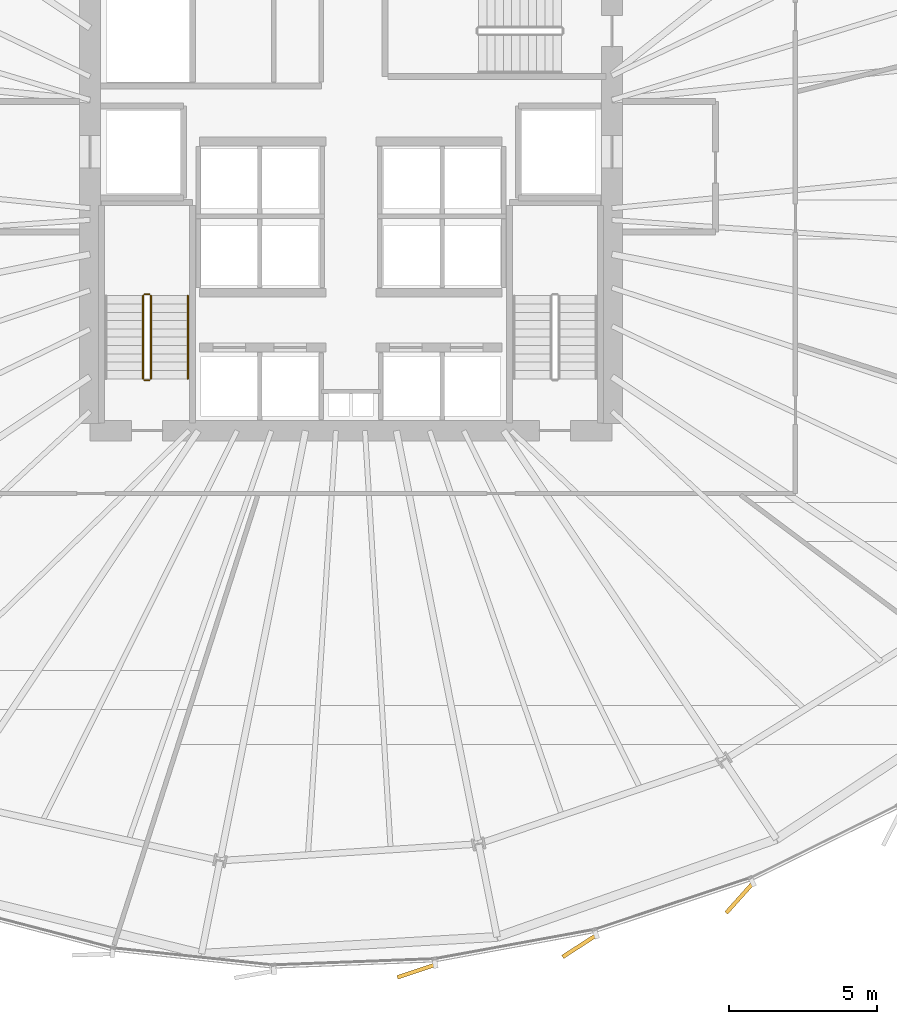
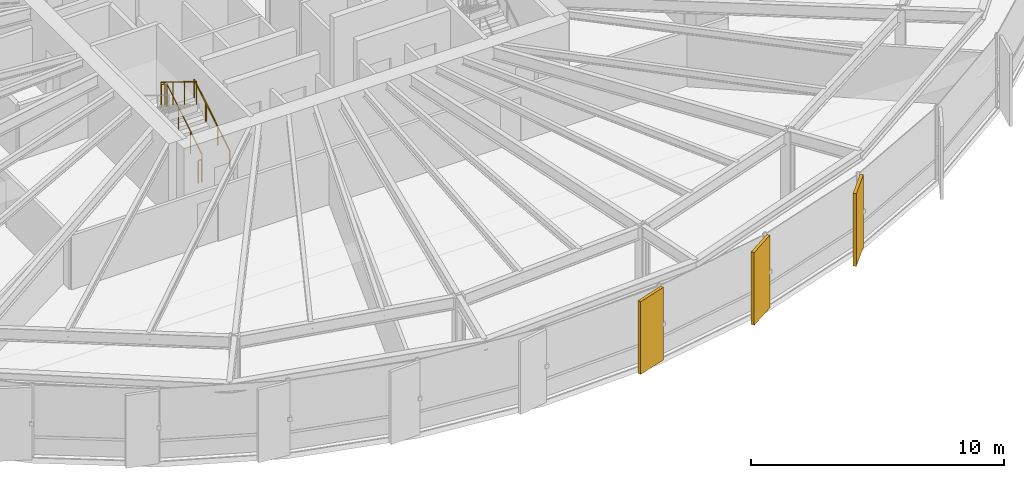
# One storey, part 34 of 37: 5 railings, 3 coverings.
"""IFC4 building model written with IfcOpenShell, lengths in metres."""

from ifc_helpers import new_model, si_unit, direction, frame, origin, origin_2d, place, context, subcontext, project, spatial, rectangle, circle, extrude, source, transform, mapped, material, layer, layer_set, type_object, element, save


model = new_model("IFC4")

# Units and contexts
model_context = context("Model", 3, precision=1e-05, world=origin(), true_north=direction((0.0, 1.0)))
body_context = subcontext(model_context, "Body", "Model", "MODEL_VIEW")
ifc_project = project(units=[si_unit("LENGTHUNIT", "METRE"), si_unit("AREAUNIT", "SQUARE_METRE"), si_unit("VOLUMEUNIT", "CUBIC_METRE"), si_unit("PLANEANGLEUNIT", "RADIAN"), si_unit("MASSUNIT", "GRAM", prefix="KILO"), si_unit("THERMODYNAMICTEMPERATUREUNIT", "KELVIN")], contexts=[model_context])

# Site, building, storey
site_placement = place(None, origin())
site = spatial("IfcSite", under=ifc_project, at=site_placement, CompositionType="ELEMENT")
building_placement = place(site_placement, origin())
building = spatial("IfcBuilding", under=site, at=building_placement, Name="Kethvar Cultural Tower", CompositionType="ELEMENT")
storey_placement = place(building_placement, frame((0.0, 0.0, 56.199951171875)))
storey = spatial("IfcBuildingStorey", under=building, at=storey_placement, Name="L13", CompositionType="ELEMENT", Elevation=56.199951171875)

# Railings
ifc_material_1 = material(Name="Steel S355J2", Category="steel")
railing_type_1 = type_object("IfcRailingType", Name="RL-STAIR-GUARD", PredefinedType="BALUSTRADE", material=ifc_material_1)
railing_1_placement = place(storey_placement, frame((40.050048828125, 21.85009765625, 0.1728515625)))
element("IfcRailing", 1, at=railing_1_placement, inside=storey, type_object=railing_type_1, Name="L13 ST-01 stair guard 1", PredefinedType="BALUSTRADE", context=body_context, shape_type="SweptSolid", body=[
    extrude(circle(Radius=0.02392578125, at=origin_2d()), frame((0.0, 0.0, 1.09619140625), z_axis=(0.0, 0.851069175582, 0.525053576669), x_axis=(-1.0, 0.0, 0.0)), (0.0, 0.0, 1.0), 3.289794921875),
    extrude(circle(Radius=0.02099609375, at=origin_2d()), origin(), (0.0, 0.0, 1.0), 1.072021484375),
    extrude(circle(Radius=0.02099609375, at=origin_2d()), frame((0.0, 0.933349609375, 0.57568359375)), (0.0, 0.0, 1.0), 1.072021484375),
    extrude(circle(Radius=0.02099609375, at=origin_2d()), frame((0.0, 1.866455078125, 1.151611328125)), (0.0, 0.0, 1.0), 1.072021484375),
    extrude(circle(Radius=0.02099609375, at=origin_2d()), frame((0.0, 2.7998046875, 1.727294921875)), (0.0, 0.0, 1.0), 1.072021484375),
])
railing_2_placement = place(storey_placement, frame((40.0, 24.699951171875, 1.900146484375)))
element("IfcRailing", 2, at=railing_2_placement, inside=storey, type_object=railing_type_1, Name="L13 ST-01 stair guard 2", PredefinedType="BALUSTRADE", context=body_context, shape_type="SweptSolid", body=[
    extrude(circle(Radius=0.02392578125, at=origin_2d()), frame((0.0, 0.0, 1.09619140625), z_axis=(-1.0, 0.0, 0.0), x_axis=(0.0, -1.0, 0.0)), (0.0, 0.0, 1.0), 0.159912109375),
    extrude(circle(Radius=0.02099609375, at=origin_2d()), origin(), (0.0, 0.0, 1.0), 1.072021484375),
    extrude(circle(Radius=0.02099609375, at=origin_2d()), frame((-0.159912109375, 0.0, 0.0)), (0.0, 0.0, 1.0), 1.072021484375),
])
railing_3_placement = place(storey_placement, frame((39.7900390625, 24.64990234375, 2.07275390625)))
element("IfcRailing", 3, at=railing_3_placement, inside=storey, type_object=railing_type_1, Name="L13 ST-01 stair guard 3", PredefinedType="BALUSTRADE", context=body_context, shape_type="SweptSolid", body=[
    extrude(circle(Radius=0.02392578125, at=origin_2d()), frame((0.0, 0.0, 1.09619140625), z_axis=(0.0, -0.851069175582, 0.525053576669), x_axis=(1.0, 0.0, 0.0)), (0.0, 0.0, 1.0), 3.289794921875),
    extrude(circle(Radius=0.02099609375, at=origin_2d()), origin(), (0.0, 0.0, 1.0), 1.072021484375),
    extrude(circle(Radius=0.02099609375, at=origin_2d()), frame((0.0, -0.933349609375, 0.57568359375)), (0.0, 0.0, 1.0), 1.072021484375),
    extrude(circle(Radius=0.02099609375, at=origin_2d()), frame((0.0, -1.866455078125, 1.151611328125)), (0.0, 0.0, 1.0), 1.072021484375),
    extrude(circle(Radius=0.02099609375, at=origin_2d()), frame((0.0, -2.7998046875, 1.727294921875)), (0.0, 0.0, 1.0), 1.072021484375),
])
railing_4_placement = place(storey_placement, frame((40.0, 21.800048828125, 0.0)))
element("IfcRailing", 4, at=railing_4_placement, inside=storey, type_object=railing_type_1, Name="L13 ST-01 stair guard 4", PredefinedType="BALUSTRADE", context=body_context, shape_type="SweptSolid", body=[
    extrude(circle(Radius=0.02392578125, at=origin_2d()), frame((0.0, 0.0, 1.09619140625), z_axis=(-1.0, 0.0, 0.0), x_axis=(0.0, -1.0, 0.0)), (0.0, 0.0, 1.0), 0.159912109375),
    extrude(circle(Radius=0.02099609375, at=origin_2d()), origin(), (0.0, 0.0, 1.0), 1.072021484375),
    extrude(circle(Radius=0.02099609375, at=origin_2d()), frame((-0.159912109375, 0.0, 0.0)), (0.0, 0.0, 1.0), 1.072021484375),
])
railing_type_2 = type_object("IfcRailingType", Name="RL-STAIR-HANDRAIL", PredefinedType="HANDRAIL", material=ifc_material_1)
railing_5_placement = place(storey_placement, frame((41.300048828125, 21.85009765625, 0.1728515625)))
element("IfcRailing", 5, at=railing_5_placement, inside=storey, type_object=railing_type_2, Name="L13 ST-01 stair handrail 1", PredefinedType="HANDRAIL", context=body_context, shape_type="SweptSolid", body=[
    extrude(circle(Radius=0.02392578125, at=origin_2d()), frame((0.0, 0.0, 0.8759765625), z_axis=(0.0, 0.851069175582, 0.525053576669), x_axis=(-1.0, 0.0, 0.0)), (0.0, 0.0, 1.0), 3.289794921875),
    extrude(circle(Radius=0.02099609375, at=origin_2d()), origin(), (0.0, 0.0, 1.0), 0.851806640625),
    extrude(circle(Radius=0.02099609375, at=origin_2d()), frame((0.0, 0.933349609375, 0.57568359375)), (0.0, 0.0, 1.0), 0.851806640625),
    extrude(circle(Radius=0.02099609375, at=origin_2d()), frame((0.0, 1.866455078125, 1.151611328125)), (0.0, 0.0, 1.0), 0.851806640625),
    extrude(circle(Radius=0.02099609375, at=origin_2d()), frame((0.0, 2.7998046875, 1.727294921875)), (0.0, 0.0, 1.0), 0.851806640625),
])

# Coverings
ifc_material_2 = material(Name="Extruded Architectural Terracotta", Category="masonry")
ifc_layer = layer(ifc_material_2, 0.135009765625, Name="Extruded Architectural Terracotta", Category="masonry")
ifc_layer_set = layer_set([ifc_layer], Name="Extruded Architectural Terracotta (135 mm)")
covering_type = type_object("IfcCoveringType", Name="Terracotta Facade Fin FIN-01", PredefinedType="CLADDING", material=ifc_layer_set)
shared_shape = source(origin(), body_context, "Body", "SweptSolid", [
    extrude(rectangle(XDim=1.35009765625, YDim=0.135009765625, at=origin_2d()), origin(), (0.0, 0.0, 1.0), 3.510009765625),
])
for number, where, z_axis, x_axis, name in (
    (6, (49.00390625, 1.87548828125, 0.02001953125), (0.0, 0.0, 1.0), (-0.948986136133, -0.315317797511, 0.0), "L13 Vertical Terracotta Fin 6.2"),
    (7, (54.50537109375, 2.717529296875, 0.02001953125), (0.0, 0.0, 1.0), (-0.840188215011, -0.542294904417, 0.0), "L13 Vertical Terracotta Fin 6.3"),
    (8, (59.90478515625, 4.337890625, 0.02001953125), (0.0, 0.0, 1.0), (-0.667572701047, -0.744544618419, 0.0), "L13 Vertical Terracotta Fin 6.4"),
):
    element("IfcCovering", number, at=place(storey_placement, frame(where, z_axis=z_axis, x_axis=x_axis)), inside=storey, type_object=covering_type, Name=name, PredefinedType="CLADDING", context=body_context, shape_type="MappedRepresentation", body=[
        mapped(shared_shape, transform((0.0, 0.0, 0.0), scale=1.0)),
    ])

save(model, "model.ifc")
